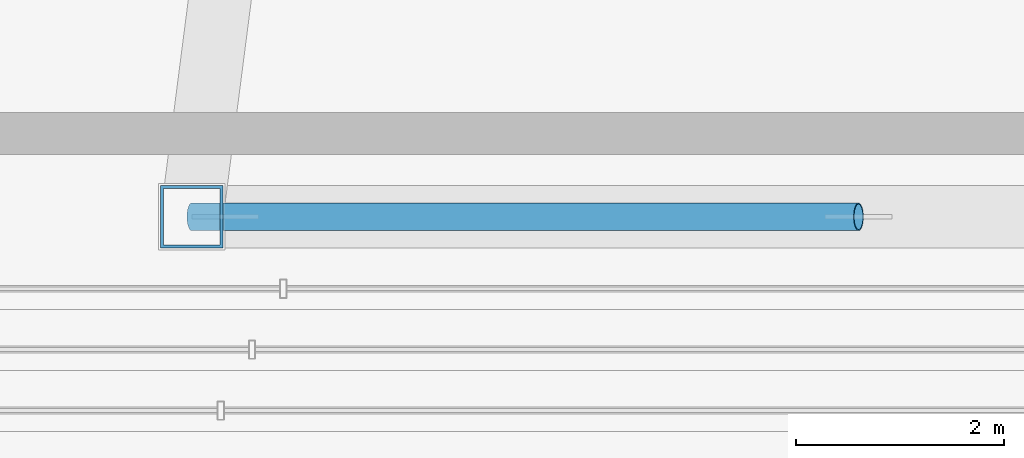
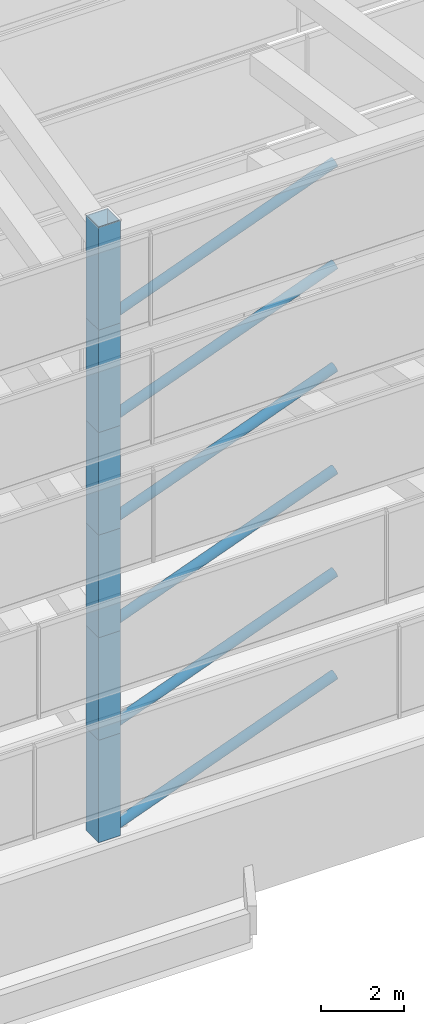
# One storey, part 6 of 29: 12 members.
"""IFC4 building model written with IfcOpenShell, lengths in metres."""

from ifc_helpers import new_model, si_unit, direction, frame, origin, origin_2d, place, context, subcontext, project, spatial, hollow_rectangle, hollow_circle, extrude, material, material_profile, profile_set, type_object, element, save


model = new_model("IFC4")

# Units and contexts
model_context = context("Model", 3, precision=1e-05, world=origin(), true_north=direction((0.0, 1.0)))
body_context = subcontext(model_context, "Body", "Model", "MODEL_VIEW")
ifc_project = project(units=[si_unit("LENGTHUNIT", "METRE"), si_unit("AREAUNIT", "SQUARE_METRE"), si_unit("VOLUMEUNIT", "CUBIC_METRE"), si_unit("PLANEANGLEUNIT", "RADIAN"), si_unit("MASSUNIT", "GRAM", prefix="KILO")], contexts=[model_context])

# Site, building, storey
site_placement = place(None, origin())
site = spatial("IfcSite", under=ifc_project, at=site_placement, CompositionType="ELEMENT")
building_placement = place(site_placement, origin())
building = spatial("IfcBuilding", under=site, at=building_placement, Name="Saevonmaru Cultural Tower", CompositionType="ELEMENT")
storey_placement = place(building_placement, frame((0.0, 0.0, 327.60009765625)))
storey = spatial("IfcBuildingStorey", under=building, at=storey_placement, Name="RF", CompositionType="ELEMENT", Elevation=327.60009765625)

# Members
ifc_material_1 = material(Name="Steel SM355", Category="steel")
ifc_material_profile_1 = material_profile(ifc_material_1, hollow_circle(Radius=0.1337890625, WallThickness=0.011962890625, at=origin_2d()), Name="CHS-267.4x12")
ifc_profile_set_1 = profile_set([ifc_material_profile_1], Name="Steel SM355")
member_type_1 = type_object("IfcMemberType", Name="CROWN-FRAME-BRACE", PredefinedType="BRACE", material=ifc_profile_set_1)
for number, where, z_axis, x_axis, name in (
    (1, (23.60009765625, 42.39990234375, 0.0), (0.936332113326, 0.0, 0.351115612802), (0.0, 1.0, 0.0), "RF Stepped Ziggurat CROWN FRAME Brace T1-1"),
    (2, (23.60009765625, 42.39990234375, 3.0), (0.936332113326, 0.0, 0.351115612802), (0.0, 1.0, 0.0), "RF Stepped Ziggurat CROWN FRAME Brace T2-1"),
    (3, (23.60009765625, 42.39990234375, 6.0), (0.936332113326, 0.0, 0.351115612802), (0.0, 1.0, 0.0), "RF Stepped Ziggurat CROWN FRAME Brace T3-1"),
    (4, (23.60009765625, 42.39990234375, 9.0), (0.936332113326, 0.0, 0.351115612802), (0.0, 1.0, 0.0), "RF Stepped Ziggurat CROWN FRAME Brace T4-1"),
    (5, (23.60009765625, 42.39990234375, 12.0), (0.936332113326, 0.0, 0.351115612802), (0.0, 1.0, 0.0), "RF Stepped Ziggurat CROWN FRAME Brace T5-1"),
    (6, (23.60009765625, 42.39990234375, 15.0), (0.936332113326, 0.0, 0.351115612802), (0.0, 1.0, 0.0), "RF Stepped Ziggurat CROWN FRAME Brace T6-1"),
):
    element("IfcMember", number, at=place(storey_placement, frame(where, z_axis=z_axis, x_axis=x_axis)), inside=storey, type_object=member_type_1, Name=name, PredefinedType="BRACE", context=body_context, shape_type="SweptSolid", body=[
        extrude(hollow_circle(Radius=0.1337890625, WallThickness=0.011962890625, at=origin_2d()), origin(), (0.0, 0.0, 1.0), 6.8349609375),
    ])
ifc_material_2 = material(Name="Steel SM420", Category="steel")
ifc_material_profile_2 = material_profile(ifc_material_2, hollow_rectangle(XDim=0.60009765625, YDim=0.60009765625, WallThickness=0.028076171875, at=origin_2d()), Name="BOX-600x600x28")
ifc_profile_set_2 = profile_set([ifc_material_profile_2], Name="Steel SM420")
member_type_2 = type_object("IfcMemberType", Name="CROWN-FRAME-POST", PredefinedType="POST", material=ifc_profile_set_2)
for number, where, z_axis, x_axis, name in (
    (7, (23.60009765625, 42.39990234375, 0.0), (0.0, 0.0, 1.0), (1.0, 0.0, 0.0), "RF Stepped Ziggurat CROWN FRAME Post T1-1"),
    (8, (23.60009765625, 42.39990234375, 3.0), (0.0, 0.0, 1.0), (1.0, 0.0, 0.0), "RF Stepped Ziggurat CROWN FRAME Post T2-1"),
    (9, (23.60009765625, 42.39990234375, 6.0), (0.0, 0.0, 1.0), (1.0, 0.0, 0.0), "RF Stepped Ziggurat CROWN FRAME Post T3-1"),
    (10, (23.60009765625, 42.39990234375, 9.0), (0.0, 0.0, 1.0), (1.0, 0.0, 0.0), "RF Stepped Ziggurat CROWN FRAME Post T4-1"),
    (11, (23.60009765625, 42.39990234375, 12.0), (0.0, 0.0, 1.0), (1.0, 0.0, 0.0), "RF Stepped Ziggurat CROWN FRAME Post T5-1"),
    (12, (23.60009765625, 42.39990234375, 15.0), (0.0, 0.0, 1.0), (1.0, 0.0, 0.0), "RF Stepped Ziggurat CROWN FRAME Post T6-1"),
):
    element("IfcMember", number, at=place(storey_placement, frame(where, z_axis=z_axis, x_axis=x_axis)), inside=storey, type_object=member_type_2, Name=name, PredefinedType="POST", context=body_context, shape_type="SweptSolid", body=[
        extrude(hollow_rectangle(XDim=0.60009765625, YDim=0.60009765625, WallThickness=0.028076171875, at=origin_2d()), origin(), (0.0, 0.0, 1.0), 3.0),
    ])

save(model, "model.ifc")
